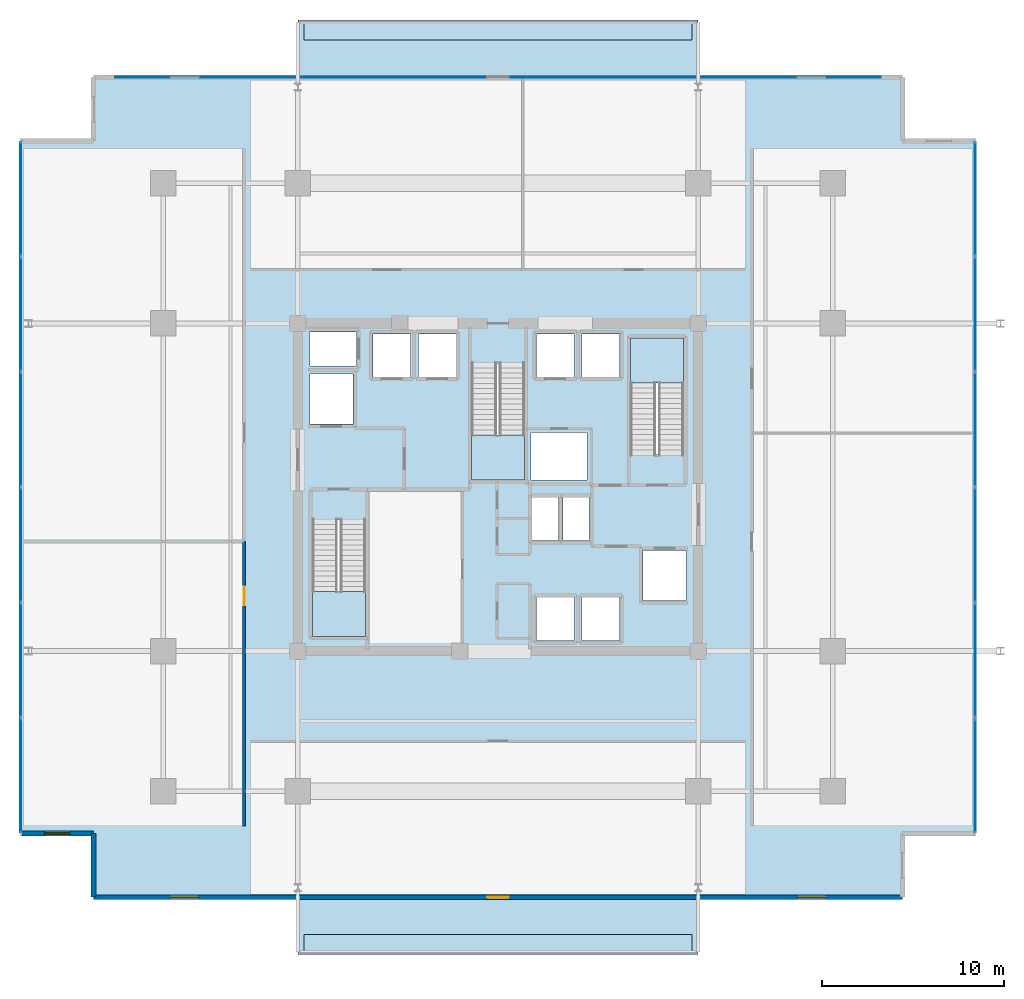
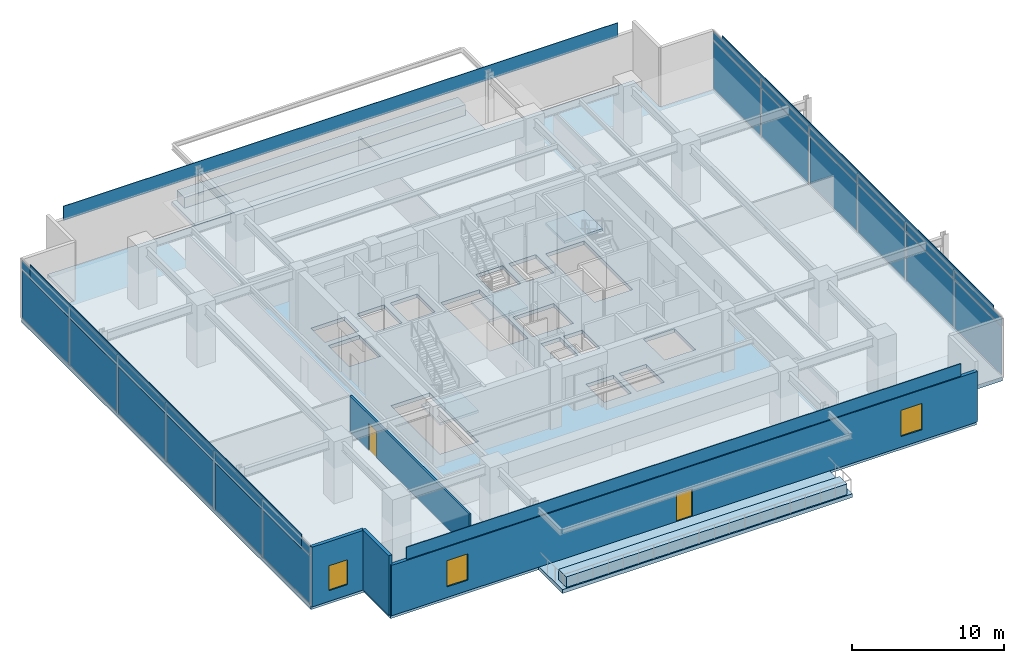
# One storey, part 13 of 21: 28 plates, 8 slabs, 4 walls, 3 windows, 2 doors, 5 openings, 5 elements without a shape of their own.
"""IFC4 building model written with IfcOpenShell, lengths in metres."""

import ifcopenshell
import ifcopenshell.guid

model = None  # the IFC model being written
_history = None  # IfcOwnerHistory: only IFC2X3 demands one
_inside = {}  # id of a spatial element -> (the spatial element, [elements in it])
_under = {}  # id of a project, library or spatial element -> (it, [spatial elements below it])
_declared = {}  # id of a project -> (the project, [libraries it declares])
_typed = {}  # id of a type object -> (the type object, [elements of that type])
_made_of = {}  # id of a material, layer set ... -> (it, [elements and type objects made of it])


def new_model(schema):
    """Start an empty IFC model of exactly this schema.

    Asked for "IFC4X3", IfcOpenShell would pick the latest addendum, in which some entities
    have other attributes; the version numbers below select the first issue.
    IFC2X3 requires an IfcOwnerHistory on every rooted entity: one is made here for all.
    """
    global model, _history
    if schema == "IFC4X3":
        model = ifcopenshell.file(schema_version=(4, 3, 0, 0))
    else:
        model = ifcopenshell.file(schema=schema)
    _inside.clear()
    _under.clear()
    _declared.clear()
    _typed.clear()
    _made_of.clear()
    _history = None
    if model.schema == "IFC2X3":
        org = make("IfcOrganization", Name="unknown")
        user = make(
            "IfcPersonAndOrganization",
            ThePerson=make("IfcPerson", FamilyName="unknown"),
            TheOrganization=org,
        )
        app = make(
            "IfcApplication",
            ApplicationDeveloper=org,
            Version="unknown",
            ApplicationFullName="unknown",
            ApplicationIdentifier="unknown",
        )
        _history = make(
            "IfcOwnerHistory",
            OwningUser=user,
            OwningApplication=app,
            ChangeAction="ADDED",
            CreationDate=0,
        )
    return model


def make(cls, **values):
    """One entity of the class cls with the attributes given. An attribute that is None is left unset."""
    return model.create_entity(
        cls, **{name: value for name, value in values.items() if value is not None}
    )


def rooted(cls, **values):
    """An entity with a GlobalId (a new one), such as an element, a storey or a relation."""
    return make(cls, GlobalId=ifcopenshell.guid.new(), OwnerHistory=_history, **values)


def si_unit(unit_type, name, prefix=None):
    """IfcSIUnit, for example si_unit("LENGTHUNIT", "METRE", prefix="MILLI")."""
    return make("IfcSIUnit", UnitType=unit_type, Prefix=prefix, Name=name)


def assignment(units):
    """IfcUnitAssignment: the units of a project."""
    return None if units is None else make("IfcUnitAssignment", Units=units)


def point(xyz):
    """IfcCartesianPoint."""
    return None if xyz is None else make("IfcCartesianPoint", Coordinates=xyz)


def direction(xyz):
    """IfcDirection."""
    return None if xyz is None else make("IfcDirection", DirectionRatios=xyz)


def frame(location, z_axis=None, x_axis=None):
    """IfcAxis2Placement3D, a coordinate frame: its origin and axes. An axis left out is left unset."""
    return make(
        "IfcAxis2Placement3D",
        Location=point(location),
        Axis=direction(z_axis),
        RefDirection=direction(x_axis),
    )


def frame_2d(location, x_axis=None):
    """IfcAxis2Placement2D, a coordinate frame in the plane: its origin and x axis."""
    return make(
        "IfcAxis2Placement2D", Location=point(location), RefDirection=direction(x_axis)
    )


def origin():
    """The frame at (0, 0, 0) with its axes left unset."""
    return frame((0.0, 0.0, 0.0))


def origin_2d():
    """The frame at (0, 0) in the plane with its x axis left unset."""
    return frame_2d((0.0, 0.0))


def place(relative_to, where):
    """IfcLocalPlacement: puts the frame where relative to a parent placement (None: the world)."""
    return make(
        "IfcLocalPlacement", PlacementRelTo=relative_to, RelativePlacement=where
    )


def context(
    kind, dimensions, precision=None, world=None, true_north=None, identifier=None
):
    """IfcGeometricRepresentationContext, for example the 3D "Model" context."""
    return make(
        "IfcGeometricRepresentationContext",
        ContextIdentifier=identifier,
        ContextType=kind,
        CoordinateSpaceDimension=dimensions,
        Precision=precision,
        WorldCoordinateSystem=world,
        TrueNorth=true_north,
    )


def subcontext(parent, identifier, kind, view, scale=None):
    """IfcGeometricRepresentationSubContext, for example "Body" below "Model"."""
    return make(
        "IfcGeometricRepresentationSubContext",
        ContextIdentifier=identifier,
        ContextType=kind,
        ParentContext=parent,
        TargetScale=scale,
        TargetView=view,
    )


def project(units=None, contexts=None):
    """IfcProject with its units and contexts."""
    return rooted(
        "IfcProject",
        Name="project",
        RepresentationContexts=contexts,
        UnitsInContext=assignment(units),
    )


def spatial(cls, under=None, at=None, **own):
    """A site, building, storey or space (cls), placed at a placement, below another one or the project."""
    s = rooted(cls, ObjectPlacement=at, **own)
    if under is not None:
        _under.setdefault(under.id(), (under, []))[1].append(s)
    return s


def polyline(points):
    """IfcPolyline through the points."""
    return make("IfcPolyline", Points=[point(p) for p in points])


def profile(cls, at=None, kind="AREA", **sizes):
    """A parametric profile (cls). Its sizes go by their IFC names, for example OverallWidth=200.0."""
    return make(cls, ProfileType=kind, Position=at, **sizes)


def rectangle(**sizes):
    """IfcRectangleProfileDef."""
    return profile("IfcRectangleProfileDef", **sizes)


def outline(outer, holes=None, kind="AREA"):
    """IfcArbitraryClosedProfileDef: a profile drawn as a closed curve; with holes, ...WithVoids."""
    if holes is None:
        return make("IfcArbitraryClosedProfileDef", ProfileType=kind, OuterCurve=outer)
    return make(
        "IfcArbitraryProfileDefWithVoids",
        ProfileType=kind,
        OuterCurve=outer,
        InnerCurves=holes,
    )


def extrude(swept, where, along, depth):
    """IfcExtrudedAreaSolid: the profile swept, set in the frame where, extruded along a direction by depth."""
    return make(
        "IfcExtrudedAreaSolid",
        SweptArea=swept,
        Position=where,
        ExtrudedDirection=direction(along),
        Depth=depth,
    )


def shape(context_of_items, identifier, shape_type, items):
    """IfcShapeRepresentation: the items that make up one representation, for example the "Body"."""
    return make(
        "IfcShapeRepresentation",
        ContextOfItems=context_of_items,
        RepresentationIdentifier=identifier,
        RepresentationType=shape_type,
        Items=items,
    )


def material(Name=None, Category=None):
    """IfcMaterial."""
    return make("IfcMaterial", Name=Name, Category=Category)


def layer(
    of_material, thickness, ventilated=None, Name=None, Category=None, Priority=None
):
    """IfcMaterialLayer: one layer of a wall or slab, of a material (None: an air gap)."""
    return make(
        "IfcMaterialLayer",
        Material=of_material,
        LayerThickness=thickness,
        IsVentilated=ventilated,
        Name=Name,
        Category=Category,
        Priority=Priority,
    )


def layer_set(layers, Name=None):
    """IfcMaterialLayerSet."""
    return make("IfcMaterialLayerSet", MaterialLayers=layers, LayerSetName=Name)


def made_of(thing, what):
    """Note that an element or type object is made of a material, layer set ...; save() writes the relation."""
    if what is not None:
        _made_of.setdefault(what.id(), (what, []))[1].append(thing)
    return thing


def type_object(cls, material=None, **own):
    """A type object (cls), such as IfcWallType, which elements share."""
    return made_of(rooted(cls, **own), material)


def element(
    cls,
    number,
    at=None,
    inside=None,
    cuts=None,
    type_object=None,
    material=None,
    context=None,
    identifier="Body",
    shape_type=None,
    held_by="IfcProductDefinitionShape",
    body=None,
    shapes=None,
    **own,
):
    """One element of the class cls, such as IfcWall. Its Tag is "e" and its number.

    at: its placement. inside: the storey or other place that contains it. cuts: it is an
    opening in that element (IfcRelVoidsElement). A single representation is given by context,
    identifier, shape_type and body (its items); several are given by shapes. held_by: the class
    of the entity that holds the representations. save() writes the other relations.
    """
    e = rooted(cls, Tag="e%d" % number, ObjectPlacement=at, **own)
    if body is not None:
        shapes = [shape(context, identifier, shape_type, body)]
    if shapes is not None:
        e.Representation = make(held_by, Representations=shapes)
    if inside is not None:
        _inside.setdefault(inside.id(), (inside, []))[1].append(e)
    if cuts is not None:
        rooted(
            "IfcRelVoidsElement", RelatingBuildingElement=cuts, RelatedOpeningElement=e
        )
    if type_object is not None:
        _typed.setdefault(type_object.id(), (type_object, []))[1].append(e)
    return made_of(e, material)


def fill(opening, filler):
    """IfcRelFillsElement: the door or window that sits in an opening."""
    return rooted(
        "IfcRelFillsElement",
        RelatingOpeningElement=opening,
        RelatedBuildingElement=filler,
    )


def aggregate(whole, parts):
    """IfcRelAggregates: a whole, such as a stair, and the parts it consists of."""
    return rooted("IfcRelAggregates", RelatingObject=whole, RelatedObjects=parts)


def save(model, path):
    """Write the relations noted so far, then the file.

    IfcRelAggregates (storeys below a building ...), IfcRelContainedInSpatialStructure (elements
    in a storey), IfcRelDefinesByType, IfcRelAssociatesMaterial and IfcRelDeclares: one each for
    every whole, place, type object, material and project.
    """
    for whole, parts in _under.values():
        aggregate(whole, parts)
    for where, things in _inside.values():
        rooted(
            "IfcRelContainedInSpatialStructure",
            RelatedElements=things,
            RelatingStructure=where,
        )
    for kind, things in _typed.values():
        rooted("IfcRelDefinesByType", RelatedObjects=things, RelatingType=kind)
    for what, things in _made_of.values():
        rooted("IfcRelAssociatesMaterial", RelatedObjects=things, RelatingMaterial=what)
    for by, libraries in _declared.values():
        rooted("IfcRelDeclares", RelatingContext=by, RelatedDefinitions=libraries)
    model.write(path)


model = new_model("IFC4")

# Units and contexts
model_context = context("Model", 3, precision=1e-05, world=origin(), true_north=direction((0.0, 1.0)))
body_context = subcontext(model_context, "Body", "Model", "MODEL_VIEW")
ifc_project = project(units=[si_unit("LENGTHUNIT", "METRE"), si_unit("AREAUNIT", "SQUARE_METRE"), si_unit("VOLUMEUNIT", "CUBIC_METRE"), si_unit("PLANEANGLEUNIT", "RADIAN"), si_unit("MASSUNIT", "GRAM", prefix="KILO")], contexts=[model_context])

# Site, building, storey
site_placement = place(None, origin())
site = spatial("IfcSite", under=ifc_project, at=site_placement, CompositionType="ELEMENT")
building_placement = place(site_placement, origin())
building = spatial("IfcBuilding", under=site, at=building_placement, Name="Kovane Verandah Tower", CompositionType="ELEMENT")
storey_placement = place(building_placement, frame((0.0, 0.0, 238.199951171875)))
storey = spatial("IfcBuildingStorey", under=building, at=storey_placement, Name="L55", CompositionType="ELEMENT", Elevation=238.199951171875)

# Curtain wall, plates
ifc_material_1 = material(Name="Champagne Anodised Aluminium Frame with Low-E Clear Laminated Glass", Category="aluminium")
curtain_wall_type = type_object("IfcCurtainWallType", Name="CW-SYS-03-MID", PredefinedType="NOTDEFINED", material=ifc_material_1)
curtain_wall_1_placement = place(storey_placement, origin())
curtain_wall_1 = element("IfcCurtainWall", 1, at=curtain_wall_1_placement, inside=storey, type_object=curtain_wall_type, Name="L55 E Unitised Curtain Wall", PredefinedType="NOTDEFINED")
ifc_material_2 = material(Name="Pale Champagne Anodised Aluminium Insulated Spandrel", Category="aluminium")
ifc_layer_1 = layer(ifc_material_2, 0.0400390625)
ifc_layer_set_1 = layer_set([ifc_layer_1], Name="Pale Champagne Anodised Aluminium Insulated Spandrel")
plate_type_1 = type_object("IfcPlateType", Name="PL-CW-SPD-40", PredefinedType="SHEET", material=ifc_layer_set_1)
plate_1_placement = place(storey_placement, frame((66.220703125, 11.647216796875, 4.05517578125), z_axis=(0.0, 0.0, 1.0), x_axis=(0.0, 1.0, 0.0)))
plate_1 = element("IfcPlate", 2, at=plate_1_placement, type_object=plate_type_1, Name="L55 E Unitised Curtain Wall Spandrel Panel 1", PredefinedType="SHEET", context=body_context, shape_type="SweptSolid", body=[
    extrude(rectangle(XDim=6.201171875, YDim=0.0400390625, at=origin_2d()), origin(), (0.0, 0.0, 1.0), 0.639892578125),
])
plate_2_placement = place(storey_placement, frame((66.220703125, 17.98828125, 4.05517578125), z_axis=(0.0, 0.0, 1.0), x_axis=(0.0, 1.0, 0.0)))
plate_2 = element("IfcPlate", 3, at=plate_2_placement, type_object=plate_type_1, Name="L55 E Unitised Curtain Wall Spandrel Panel 2", PredefinedType="SHEET", context=body_context, shape_type="SweptSolid", body=[
    extrude(rectangle(XDim=6.201171875, YDim=0.0400390625, at=origin_2d()), origin(), (0.0, 0.0, 1.0), 0.639892578125),
])
plate_3_placement = place(storey_placement, frame((66.220703125, 24.329345703125, 4.05517578125), z_axis=(0.0, 0.0, 1.0), x_axis=(0.0, 1.0, 0.0)))
plate_3 = element("IfcPlate", 4, at=plate_3_placement, type_object=plate_type_1, Name="L55 E Unitised Curtain Wall Spandrel Panel 3", PredefinedType="SHEET", context=body_context, shape_type="SweptSolid", body=[
    extrude(rectangle(XDim=6.201171875, YDim=0.0400390625, at=origin_2d()), origin(), (0.0, 0.0, 1.0), 0.639892578125),
])
plate_4_placement = place(storey_placement, frame((66.220703125, 30.670654296875, 4.05517578125), z_axis=(0.0, 0.0, 1.0), x_axis=(0.0, 1.0, 0.0)))
plate_4 = element("IfcPlate", 5, at=plate_4_placement, type_object=plate_type_1, Name="L55 E Unitised Curtain Wall Spandrel Panel 4", PredefinedType="SHEET", context=body_context, shape_type="SweptSolid", body=[
    extrude(rectangle(XDim=6.201171875, YDim=0.0400390625, at=origin_2d()), origin(), (0.0, 0.0, 1.0), 0.639892578125),
])
plate_5_placement = place(storey_placement, frame((66.220703125, 37.01171875, 4.05517578125), z_axis=(0.0, 0.0, 1.0), x_axis=(0.0, 1.0, 0.0)))
plate_5 = element("IfcPlate", 6, at=plate_5_placement, type_object=plate_type_1, Name="L55 E Unitised Curtain Wall Spandrel Panel 5", PredefinedType="SHEET", context=body_context, shape_type="SweptSolid", body=[
    extrude(rectangle(XDim=6.201171875, YDim=0.0400390625, at=origin_2d()), origin(), (0.0, 0.0, 1.0), 0.639892578125),
])
plate_6_placement = place(storey_placement, frame((66.220703125, 43.352783203125, 4.05517578125), z_axis=(0.0, 0.0, 1.0), x_axis=(0.0, 1.0, 0.0)))
plate_6 = element("IfcPlate", 7, at=plate_6_placement, type_object=plate_type_1, Name="L55 E Unitised Curtain Wall Spandrel Panel 6", PredefinedType="SHEET", context=body_context, shape_type="SweptSolid", body=[
    extrude(rectangle(XDim=6.201171875, YDim=0.0400390625, at=origin_2d()), origin(), (0.0, 0.0, 1.0), 0.639892578125),
])

curtain_wall_2_placement = place(storey_placement, origin())
curtain_wall_2 = element("IfcCurtainWall", 8, at=curtain_wall_2_placement, inside=storey, type_object=curtain_wall_type, Name="L55 W Unitised Curtain Wall", PredefinedType="NOTDEFINED")
plate_7_placement = place(storey_placement, frame((13.779296875, 43.352783203125, 4.05517578125), z_axis=(0.0, 0.0, 1.0), x_axis=(0.0, -1.0, 0.0)))
plate_7 = element("IfcPlate", 9, at=plate_7_placement, type_object=plate_type_1, Name="L55 W Unitised Curtain Wall Spandrel Panel 1", PredefinedType="SHEET", context=body_context, shape_type="SweptSolid", body=[
    extrude(rectangle(XDim=6.201171875, YDim=0.0400390625, at=origin_2d()), origin(), (0.0, 0.0, 1.0), 0.639892578125),
])
plate_8_placement = place(storey_placement, frame((13.779296875, 37.01171875, 4.05517578125), z_axis=(0.0, 0.0, 1.0), x_axis=(0.0, -1.0, 0.0)))
plate_8 = element("IfcPlate", 10, at=plate_8_placement, type_object=plate_type_1, Name="L55 W Unitised Curtain Wall Spandrel Panel 2", PredefinedType="SHEET", context=body_context, shape_type="SweptSolid", body=[
    extrude(rectangle(XDim=6.201171875, YDim=0.0400390625, at=origin_2d()), origin(), (0.0, 0.0, 1.0), 0.639892578125),
])
plate_9_placement = place(storey_placement, frame((13.779296875, 30.670654296875, 4.05517578125), z_axis=(0.0, 0.0, 1.0), x_axis=(0.0, -1.0, 0.0)))
plate_9 = element("IfcPlate", 11, at=plate_9_placement, type_object=plate_type_1, Name="L55 W Unitised Curtain Wall Spandrel Panel 3", PredefinedType="SHEET", context=body_context, shape_type="SweptSolid", body=[
    extrude(rectangle(XDim=6.201171875, YDim=0.0400390625, at=origin_2d()), origin(), (0.0, 0.0, 1.0), 0.639892578125),
])
plate_10_placement = place(storey_placement, frame((13.779296875, 24.329345703125, 4.05517578125), z_axis=(0.0, 0.0, 1.0), x_axis=(0.0, -1.0, 0.0)))
plate_10 = element("IfcPlate", 12, at=plate_10_placement, type_object=plate_type_1, Name="L55 W Unitised Curtain Wall Spandrel Panel 4", PredefinedType="SHEET", context=body_context, shape_type="SweptSolid", body=[
    extrude(rectangle(XDim=6.201171875, YDim=0.0400390625, at=origin_2d()), origin(), (0.0, 0.0, 1.0), 0.639892578125),
])
plate_11_placement = place(storey_placement, frame((13.779296875, 17.98828125, 4.05517578125), z_axis=(0.0, 0.0, 1.0), x_axis=(0.0, -1.0, 0.0)))
plate_11 = element("IfcPlate", 13, at=plate_11_placement, type_object=plate_type_1, Name="L55 W Unitised Curtain Wall Spandrel Panel 5", PredefinedType="SHEET", context=body_context, shape_type="SweptSolid", body=[
    extrude(rectangle(XDim=6.201171875, YDim=0.0400390625, at=origin_2d()), origin(), (0.0, 0.0, 1.0), 0.639892578125),
])
plate_12_placement = place(storey_placement, frame((13.779296875, 11.647216796875, 4.05517578125), z_axis=(0.0, 0.0, 1.0), x_axis=(0.0, -1.0, 0.0)))
plate_12 = element("IfcPlate", 14, at=plate_12_placement, type_object=plate_type_1, Name="L55 W Unitised Curtain Wall Spandrel Panel 6", PredefinedType="SHEET", context=body_context, shape_type="SweptSolid", body=[
    extrude(rectangle(XDim=6.201171875, YDim=0.0400390625, at=origin_2d()), origin(), (0.0, 0.0, 1.0), 0.639892578125),
])

# Plate
ifc_material_3 = material(Name="Clear Low-E Laminated Double Glazing", Category="glass")
ifc_layer_2 = layer(ifc_material_3, 0.031982421875)
ifc_layer_set_2 = layer_set([ifc_layer_2], Name="Clear Low-E Laminated Double Glazing")
plate_type_2 = type_object("IfcPlateType", Name="PL-CW-VIS-32", PredefinedType="CURTAIN_PANEL", material=ifc_layer_set_2)
plate_13_placement = place(storey_placement, frame((66.220703125, 11.647216796875, 0.10009765625), z_axis=(0.0, 0.0, 1.0), x_axis=(0.0, 1.0, 0.0)))
plate_13 = element("IfcPlate", 15, at=plate_13_placement, type_object=plate_type_2, Name="L55 E Unitised Curtain Wall Vision Panel 1", PredefinedType="CURTAIN_PANEL", context=body_context, shape_type="SweptSolid", body=[
    extrude(rectangle(XDim=6.201171875, YDim=0.031982421875, at=origin_2d()), origin(), (0.0, 0.0, 1.0), 3.85498046875),
])

plate_14_placement = place(storey_placement, frame((66.220703125, 17.98828125, 0.10009765625), z_axis=(0.0, 0.0, 1.0), x_axis=(0.0, 1.0, 0.0)))
plate_14 = element("IfcPlate", 16, at=plate_14_placement, type_object=plate_type_2, Name="L55 E Unitised Curtain Wall Vision Panel 2", PredefinedType="CURTAIN_PANEL", context=body_context, shape_type="SweptSolid", body=[
    extrude(rectangle(XDim=6.201171875, YDim=0.031982421875, at=origin_2d()), origin(), (0.0, 0.0, 1.0), 3.85498046875),
])

plate_15_placement = place(storey_placement, frame((66.220703125, 24.329345703125, 0.10009765625), z_axis=(0.0, 0.0, 1.0), x_axis=(0.0, 1.0, 0.0)))
plate_15 = element("IfcPlate", 17, at=plate_15_placement, type_object=plate_type_2, Name="L55 E Unitised Curtain Wall Vision Panel 3", PredefinedType="CURTAIN_PANEL", context=body_context, shape_type="SweptSolid", body=[
    extrude(rectangle(XDim=6.201171875, YDim=0.031982421875, at=origin_2d()), origin(), (0.0, 0.0, 1.0), 3.85498046875),
])

plate_16_placement = place(storey_placement, frame((66.220703125, 30.670654296875, 0.10009765625), z_axis=(0.0, 0.0, 1.0), x_axis=(0.0, 1.0, 0.0)))
plate_16 = element("IfcPlate", 18, at=plate_16_placement, type_object=plate_type_2, Name="L55 E Unitised Curtain Wall Vision Panel 4", PredefinedType="CURTAIN_PANEL", context=body_context, shape_type="SweptSolid", body=[
    extrude(rectangle(XDim=6.201171875, YDim=0.031982421875, at=origin_2d()), origin(), (0.0, 0.0, 1.0), 3.85498046875),
])

plate_17_placement = place(storey_placement, frame((66.220703125, 37.01171875, 0.10009765625), z_axis=(0.0, 0.0, 1.0), x_axis=(0.0, 1.0, 0.0)))
plate_17 = element("IfcPlate", 19, at=plate_17_placement, type_object=plate_type_2, Name="L55 E Unitised Curtain Wall Vision Panel 5", PredefinedType="CURTAIN_PANEL", context=body_context, shape_type="SweptSolid", body=[
    extrude(rectangle(XDim=6.201171875, YDim=0.031982421875, at=origin_2d()), origin(), (0.0, 0.0, 1.0), 3.85498046875),
])

plate_18_placement = place(storey_placement, frame((66.220703125, 43.352783203125, 0.10009765625), z_axis=(0.0, 0.0, 1.0), x_axis=(0.0, 1.0, 0.0)))
plate_18 = element("IfcPlate", 20, at=plate_18_placement, type_object=plate_type_2, Name="L55 E Unitised Curtain Wall Vision Panel 6", PredefinedType="CURTAIN_PANEL", context=body_context, shape_type="SweptSolid", body=[
    extrude(rectangle(XDim=6.201171875, YDim=0.031982421875, at=origin_2d()), origin(), (0.0, 0.0, 1.0), 3.85498046875),
])

aggregate(curtain_wall_1, [plate_13, plate_1, plate_14, plate_2, plate_15, plate_3, plate_16, plate_4, plate_17, plate_5, plate_18, plate_6])

plate_19_placement = place(storey_placement, frame((13.779296875, 43.352783203125, 0.10009765625), z_axis=(0.0, 0.0, 1.0), x_axis=(0.0, -1.0, 0.0)))
plate_19 = element("IfcPlate", 21, at=plate_19_placement, type_object=plate_type_2, Name="L55 W Unitised Curtain Wall Vision Panel 1", PredefinedType="CURTAIN_PANEL", context=body_context, shape_type="SweptSolid", body=[
    extrude(rectangle(XDim=6.201171875, YDim=0.031982421875, at=origin_2d()), origin(), (0.0, 0.0, 1.0), 3.85498046875),
])

plate_20_placement = place(storey_placement, frame((13.779296875, 37.01171875, 0.10009765625), z_axis=(0.0, 0.0, 1.0), x_axis=(0.0, -1.0, 0.0)))
plate_20 = element("IfcPlate", 22, at=plate_20_placement, type_object=plate_type_2, Name="L55 W Unitised Curtain Wall Vision Panel 2", PredefinedType="CURTAIN_PANEL", context=body_context, shape_type="SweptSolid", body=[
    extrude(rectangle(XDim=6.201171875, YDim=0.031982421875, at=origin_2d()), origin(), (0.0, 0.0, 1.0), 3.85498046875),
])

plate_21_placement = place(storey_placement, frame((13.779296875, 30.670654296875, 0.10009765625), z_axis=(0.0, 0.0, 1.0), x_axis=(0.0, -1.0, 0.0)))
plate_21 = element("IfcPlate", 23, at=plate_21_placement, type_object=plate_type_2, Name="L55 W Unitised Curtain Wall Vision Panel 3", PredefinedType="CURTAIN_PANEL", context=body_context, shape_type="SweptSolid", body=[
    extrude(rectangle(XDim=6.201171875, YDim=0.031982421875, at=origin_2d()), origin(), (0.0, 0.0, 1.0), 3.85498046875),
])

plate_22_placement = place(storey_placement, frame((13.779296875, 24.329345703125, 0.10009765625), z_axis=(0.0, 0.0, 1.0), x_axis=(0.0, -1.0, 0.0)))
plate_22 = element("IfcPlate", 24, at=plate_22_placement, type_object=plate_type_2, Name="L55 W Unitised Curtain Wall Vision Panel 4", PredefinedType="CURTAIN_PANEL", context=body_context, shape_type="SweptSolid", body=[
    extrude(rectangle(XDim=6.201171875, YDim=0.031982421875, at=origin_2d()), origin(), (0.0, 0.0, 1.0), 3.85498046875),
])

plate_23_placement = place(storey_placement, frame((13.779296875, 17.98828125, 0.10009765625), z_axis=(0.0, 0.0, 1.0), x_axis=(0.0, -1.0, 0.0)))
plate_23 = element("IfcPlate", 25, at=plate_23_placement, type_object=plate_type_2, Name="L55 W Unitised Curtain Wall Vision Panel 5", PredefinedType="CURTAIN_PANEL", context=body_context, shape_type="SweptSolid", body=[
    extrude(rectangle(XDim=6.201171875, YDim=0.031982421875, at=origin_2d()), origin(), (0.0, 0.0, 1.0), 3.85498046875),
])

plate_24_placement = place(storey_placement, frame((13.779296875, 11.647216796875, 0.10009765625), z_axis=(0.0, 0.0, 1.0), x_axis=(0.0, -1.0, 0.0)))
plate_24 = element("IfcPlate", 26, at=plate_24_placement, type_object=plate_type_2, Name="L55 W Unitised Curtain Wall Vision Panel 6", PredefinedType="CURTAIN_PANEL", context=body_context, shape_type="SweptSolid", body=[
    extrude(rectangle(XDim=6.201171875, YDim=0.031982421875, at=origin_2d()), origin(), (0.0, 0.0, 1.0), 3.85498046875),
])

aggregate(curtain_wall_2, [plate_19, plate_7, plate_20, plate_8, plate_21, plate_9, plate_22, plate_10, plate_23, plate_11, plate_24, plate_12])

# Plates
ifc_material_4 = material(Name="Perforated Pale Champagne Anodised Aluminium Solar Screen", Category="aluminium")
ifc_layer_3 = layer(ifc_material_4, 0.050048828125)
ifc_layer_set_3 = layer_set([ifc_layer_3], Name="Perforated Pale Champagne Anodised Aluminium Solar Screen")
plate_type_3 = type_object("IfcPlateType", Name="PL-SCREEN-50", PredefinedType="USERDEFINED", material=ifc_layer_set_3)
plate_25_placement = place(storey_placement, frame((40.0, 4.961669921875, 3.885009765625), z_axis=(0.0, 0.0, 1.0), x_axis=(1.0, 0.0, 0.0)))
element("IfcPlate", 27, at=plate_25_placement, inside=storey, type_object=plate_type_3, Name="L55 S Perforated Champagne-Gold Solar Screen", ObjectType="SCREEN", PredefinedType="USERDEFINED", context=body_context, shape_type="SweptSolid", body=[
    extrude(rectangle(XDim=42.041015625, YDim=0.050048828125, at=origin_2d()), origin(), (0.0, 0.0, 1.0), 1.14990234375),
])
plate_26_placement = place(storey_placement, frame((66.235595703125, 27.5, 3.885009765625), z_axis=(0.0, 0.0, 1.0), x_axis=(0.0, 1.0, 0.0)))
element("IfcPlate", 28, at=plate_26_placement, inside=storey, type_object=plate_type_3, Name="L55 E Perforated Champagne-Gold Solar Screen", ObjectType="SCREEN", PredefinedType="USERDEFINED", context=body_context, shape_type="SweptSolid", body=[
    extrude(rectangle(XDim=35.64697265625, YDim=0.050048828125, at=origin_2d()), origin(), (0.0, 0.0, 1.0), 1.14990234375),
])
plate_27_placement = place(storey_placement, frame((40.0, 50.038330078125, 3.885009765625), z_axis=(0.0, 0.0, 1.0), x_axis=(-1.0, 0.0, 0.0)))
element("IfcPlate", 29, at=plate_27_placement, inside=storey, type_object=plate_type_3, Name="L55 N Perforated Champagne-Gold Solar Screen", ObjectType="SCREEN", PredefinedType="USERDEFINED", context=body_context, shape_type="SweptSolid", body=[
    extrude(rectangle(XDim=42.041015625, YDim=0.050048828125, at=origin_2d()), origin(), (0.0, 0.0, 1.0), 1.14990234375),
])
plate_28_placement = place(storey_placement, frame((13.764404296875, 27.5, 3.885009765625), z_axis=(0.0, 0.0, 1.0), x_axis=(0.0, -1.0, 0.0)))
element("IfcPlate", 30, at=plate_28_placement, inside=storey, type_object=plate_type_3, Name="L55 W Perforated Champagne-Gold Solar Screen", ObjectType="SCREEN", PredefinedType="USERDEFINED", context=body_context, shape_type="SweptSolid", body=[
    extrude(rectangle(XDim=35.64697265625, YDim=0.050048828125, at=origin_2d()), origin(), (0.0, 0.0, 1.0), 1.14990234375),
])

# Slabs
ifc_material_5 = material(Name="Concrete C45/55", Category="concrete")
ifc_layer_4 = layer(ifc_material_5, 0.300048828125)
ifc_layer_set_4 = layer_set([ifc_layer_4], Name="Concrete C45/55")
slab_type_1 = type_object("IfcSlabType", Name="SL-BALC-300", PredefinedType="FLOOR", material=ifc_layer_set_4)
slab_1_placement = place(storey_placement, frame((0.0, 0.0, -0.300048828125)))
element("IfcSlab", 31, at=slab_1_placement, inside=storey, type_object=slab_type_1, Name="L55 N Planted Verandah Balcony Slab", PredefinedType="FLOOR", context=body_context, shape_type="SweptSolid", body=[
    extrude(outline(polyline([(29.0, 50.0234375), (51.0, 50.0234375), (51.0, 53.17333984375), (29.0, 53.17333984375), (29.0, 50.0234375)])), origin(), (0.0, 0.0, 1.0), 0.300048828125),
])
slab_2_placement = place(storey_placement, frame((0.0, 0.0, -0.300048828125)))
element("IfcSlab", 32, at=slab_2_placement, inside=storey, type_object=slab_type_1, Name="L55 S Planted Verandah Balcony Slab", PredefinedType="FLOOR", context=body_context, shape_type="SweptSolid", body=[
    extrude(outline(polyline([(29.0, 1.82666015625), (51.0, 1.82666015625), (51.0, 4.9765625), (29.0, 4.9765625), (29.0, 1.82666015625)])), origin(), (0.0, 0.0, 1.0), 0.300048828125),
])
ifc_material_6 = material(Name="Concrete C60/75", Category="concrete")
ifc_layer_5 = layer(ifc_material_6, 0.300048828125)
ifc_layer_set_5 = layer_set([ifc_layer_5], Name="Concrete C60/75")
slab_type_2 = type_object("IfcSlabType", Name="SL-HVY-300", PredefinedType="FLOOR", material=ifc_layer_set_5)
slab_3_placement = place(storey_placement, frame((0.0, 0.0, -0.300048828125)))
element("IfcSlab", 33, at=slab_3_placement, inside=storey, type_object=slab_type_2, Name="L55 Structural Floor Slab", PredefinedType="FLOOR", context=body_context, shape_type="SweptSolid", body=[
    extrude(outline(polyline([(17.779296875, 4.9765625), (62.220703125, 4.9765625), (62.220703125, 8.4765625), (66.220703125, 8.4765625), (66.220703125, 46.5234375), (62.220703125, 46.5234375), (62.220703125, 50.0234375), (17.779296875, 50.0234375), (17.779296875, 46.5234375), (13.779296875, 46.5234375), (13.779296875, 8.4765625), (17.779296875, 8.4765625), (17.779296875, 4.9765625)]), holes=[polyline([(29.800048828125, 19.300048828125), (32.719970703125, 19.300048828125), (32.719970703125, 25.705078125), (29.800048828125, 25.705078125), (29.800048828125, 19.300048828125)]), polyline([(47.280029296875, 29.294921875), (50.199951171875, 29.294921875), (50.199951171875, 35.699951171875), (47.280029296875, 35.699951171875), (47.280029296875, 29.294921875)]), polyline([(38.5400390625, 27.89990234375), (41.4599609375, 27.89990234375), (41.4599609375, 34.304931640625), (38.5400390625, 34.304931640625), (38.5400390625, 27.89990234375)]), polyline([(29.669921875, 30.969970703125), (32.030029296875, 30.969970703125), (32.030029296875, 33.72998046875), (29.669921875, 33.72998046875), (29.669921875, 30.969970703125)]), polyline([(47.969970703125, 21.27001953125), (50.330078125, 21.27001953125), (50.330078125, 24.030029296875), (47.969970703125, 24.030029296875), (47.969970703125, 21.27001953125)]), polyline([(29.669921875, 34.169921875), (32.22998046875, 34.169921875), (32.22998046875, 36.030029296875), (29.669921875, 36.030029296875), (29.669921875, 34.169921875)]), polyline([(42.1201171875, 19.070068359375), (44.179931640625, 19.070068359375), (44.179931640625, 21.429931640625), (42.1201171875, 21.429931640625), (42.1201171875, 19.070068359375)]), polyline([(44.6201171875, 19.070068359375), (46.679931640625, 19.070068359375), (46.679931640625, 21.429931640625), (44.6201171875, 21.429931640625), (44.6201171875, 19.070068359375)]), polyline([(41.8798828125, 24.570068359375), (43.320068359375, 24.570068359375), (43.320068359375, 26.929931640625), (41.8798828125, 26.929931640625), (41.8798828125, 24.570068359375)]), polyline([(43.580078125, 24.570068359375), (45.0, 24.570068359375), (45.0, 26.929931640625), (43.580078125, 26.929931640625), (43.580078125, 24.570068359375)]), polyline([(33.1201171875, 33.570068359375), (35.179931640625, 33.570068359375), (35.179931640625, 35.929931640625), (33.1201171875, 35.929931640625), (33.1201171875, 33.570068359375)]), polyline([(35.6201171875, 33.570068359375), (37.679931640625, 33.570068359375), (37.679931640625, 35.929931640625), (35.6201171875, 35.929931640625), (35.6201171875, 33.570068359375)]), polyline([(42.1201171875, 33.570068359375), (44.179931640625, 33.570068359375), (44.179931640625, 35.929931640625), (42.1201171875, 35.929931640625), (42.1201171875, 33.570068359375)]), polyline([(44.6201171875, 33.570068359375), (46.679931640625, 33.570068359375), (46.679931640625, 35.929931640625), (44.6201171875, 35.929931640625), (44.6201171875, 33.570068359375)]), polyline([(41.800048828125, 27.89990234375), (44.89990234375, 27.89990234375), (44.89990234375, 30.5), (41.800048828125, 30.5), (41.800048828125, 27.89990234375)])]), origin(), (0.0, 0.0, 1.0), 0.300048828125),
])

# Stair, slab
stair_type = type_object("IfcStairType", Name="ST-CORE-1380", PredefinedType="HALF_TURN_STAIR", material=ifc_material_5)
stair_1_placement = place(storey_placement, origin())
stair_1 = element("IfcStair", 34, at=stair_1_placement, inside=storey, type_object=stair_type, Name="L55 Exit Stair ST-01", PredefinedType="HALF_TURN_STAIR")
ifc_layer_6 = layer(ifc_material_5, 0.199951171875)
ifc_layer_set_6 = layer_set([ifc_layer_6], Name="Concrete C45/55")
slab_type_3 = type_object("IfcSlabType", Name="SL-LAND-200", PredefinedType="LANDING", material=ifc_layer_set_6)
slab_4_placement = place(storey_placement, frame((0.0, 0.0, 2.300048828125)))
slab_4 = element("IfcSlab", 35, at=slab_4_placement, type_object=slab_type_3, Name="ST-01 landing 1", PredefinedType="LANDING", context=body_context, shape_type="SweptSolid", body=[
    extrude(outline(polyline([(29.800048828125, 21.760009765625), (29.800048828125, 19.300048828125), (32.719970703125, 19.300048828125), (32.719970703125, 21.760009765625), (29.800048828125, 21.760009765625)])), origin(), (0.0, 0.0, 1.0), 0.199951171875),
])
aggregate(stair_1, [slab_4])

stair_2_placement = place(storey_placement, origin())
stair_2 = element("IfcStair", 36, at=stair_2_placement, inside=storey, type_object=stair_type, Name="L55 Exit Stair ST-02", PredefinedType="HALF_TURN_STAIR")
slab_5_placement = place(storey_placement, frame((0.0, 0.0, 2.300048828125)))
slab_5 = element("IfcSlab", 37, at=slab_5_placement, type_object=slab_type_3, Name="ST-02 landing 1", PredefinedType="LANDING", context=body_context, shape_type="SweptSolid", body=[
    extrude(outline(polyline([(50.199951171875, 33.239990234375), (50.199951171875, 35.699951171875), (47.280029296875, 35.699951171875), (47.280029296875, 33.239990234375), (50.199951171875, 33.239990234375)])), origin(), (0.0, 0.0, 1.0), 0.199951171875),
])
aggregate(stair_2, [slab_5])

stair_3_placement = place(storey_placement, origin())
stair_3 = element("IfcStair", 38, at=stair_3_placement, inside=storey, type_object=stair_type, Name="L55 Exit Stair ST-03", PredefinedType="HALF_TURN_STAIR")
slab_6_placement = place(storey_placement, frame((0.0, 0.0, 2.300048828125)))
slab_6 = element("IfcSlab", 39, at=slab_6_placement, type_object=slab_type_3, Name="ST-03 landing 1", PredefinedType="LANDING", context=body_context, shape_type="SweptSolid", body=[
    extrude(outline(polyline([(38.5400390625, 30.360107421875), (38.5400390625, 27.89990234375), (41.4599609375, 27.89990234375), (41.4599609375, 30.360107421875), (38.5400390625, 30.360107421875)])), origin(), (0.0, 0.0, 1.0), 0.199951171875),
])
aggregate(stair_3, [slab_6])

# Slabs
ifc_material_7 = material(Name="Architectural Precast Concrete C45/55 Planter Trough", Category="concrete")
ifc_layer_7 = layer(ifc_material_7, 0.219970703125)
ifc_layer_set_7 = layer_set([ifc_layer_7], Name="Architectural Precast Concrete C45/55 Planter Trough")
slab_type_4 = type_object("IfcSlabType", Name="SL-PLANTER-220", PredefinedType="USERDEFINED", material=ifc_layer_set_7)
slab_7_placement = place(storey_placement, origin())
element("IfcSlab", 40, at=slab_7_placement, inside=storey, type_object=slab_type_4, Name="L55 N Structural Tree Planter", ObjectType="PLANTER", PredefinedType="USERDEFINED", context=body_context, shape_type="SweptSolid", body=[
    extrude(outline(polyline([(29.35009765625, 52.073486328125), (50.64990234375, 52.073486328125), (50.64990234375, 53.073486328125), (29.35009765625, 53.073486328125), (29.35009765625, 52.073486328125)])), origin(), (0.0, 0.0, 1.0), 0.85009765625),
])
slab_8_placement = place(storey_placement, origin())
element("IfcSlab", 41, at=slab_8_placement, inside=storey, type_object=slab_type_4, Name="L55 S Structural Tree Planter", ObjectType="PLANTER", PredefinedType="USERDEFINED", context=body_context, shape_type="SweptSolid", body=[
    extrude(outline(polyline([(29.35009765625, 1.926513671875), (50.64990234375, 1.926513671875), (50.64990234375, 2.926513671875), (29.35009765625, 2.926513671875), (29.35009765625, 1.926513671875)])), origin(), (0.0, 0.0, 1.0), 0.85009765625),
])

# Wall, opening, door
ifc_material_8 = material(Name="Fire-Rated Gypsum Stud Partition", Category="gypsum")
ifc_layer_8 = layer(ifc_material_8, 0.14990234375)
ifc_layer_set_8 = layer_set([ifc_layer_8], Name="Fire-Rated Gypsum Stud Partition")
wall_type_1 = type_object("IfcWallType", Name="WL-COR-150", PredefinedType="PARTITIONING", material=ifc_layer_set_8)
wall_1_placement = place(storey_placement, frame((26.050048828125, 8.876708984375, 0.0), z_axis=(0.0, 0.0, 1.0), x_axis=(0.0, 1.0, 0.0)))
wall_1 = element("IfcWall", 42, at=wall_1_placement, inside=storey, type_object=wall_type_1, Name="L55 Collaboration Hub W1 Corridor Partition", PredefinedType="PARTITIONING", context=body_context, shape_type="SweptSolid", body=[
    extrude(rectangle(XDim=15.6435546875, YDim=0.14990234375, at=frame_2d((7.82177734375, 0.0))), origin(), (0.0, 0.0, 1.0), 2.85009765625),
])
opening_1_placement = place(wall_1_placement, frame((12.148681640625, 0.0, 0.0)))
opening_1 = element("IfcOpeningElement", 43, at=opening_1_placement, cuts=wall_1, Name="Opening DR-L55-021", PredefinedType="OPENING", context=body_context, shape_type="SweptSolid", body=[
    extrude(rectangle(XDim=1.0, YDim=2.14990234375, at=frame_2d((0.5, 1.074951171875))), frame((0.0, 0.074951171875, 0.0), z_axis=(0.0, -1.0, 0.0), x_axis=(1.0, 0.0, 0.0)), (0.0, 0.0, 1.0), 0.14990234375),
])
ifc_material_9 = material(Name="FSC Spotted-Gum Timber Fire-Rated Office Door", Category="wood")
door_type_1 = type_object("IfcDoorType", Name="DR-OFF-1000", OperationType="SINGLE_SWING_LEFT", PredefinedType="DOOR", material=ifc_material_9)
door_1_placement = place(opening_1_placement, origin())
door_1 = element("IfcDoor", 44, at=door_1_placement, inside=storey, type_object=door_type_1, Name="L55 Collaboration Hub W1 Entrance Door", OperationType="SINGLE_SWING_RIGHT", OverallHeight=2.14990234375, OverallWidth=1.0, PredefinedType="DOOR", context=body_context, shape_type="SweptSolid", body=[
    extrude(rectangle(XDim=1.0, YDim=2.14990234375, at=frame_2d((0.5, 1.074951171875))), frame((0.0, 0.02490234375, 0.0), z_axis=(0.0, -1.0, 0.0), x_axis=(1.0, 0.0, 0.0)), (0.0, 0.0, 1.0), 0.050048828125),
])
fill(opening_1, door_1)

# Wall, openings, door, windows
ifc_material_10 = material(Name="Concrete C45/55 Insulated Spandrel Wall", Category="concrete")
ifc_layer_9 = layer(ifc_material_10, 0.260009765625)
ifc_layer_set_9 = layer_set([ifc_layer_9], Name="Concrete C45/55 Insulated Spandrel Wall")
wall_type_2 = type_object("IfcWallType", Name="WL-SPANDREL-260", PredefinedType="PARAPET", material=ifc_layer_set_9)
wall_2_placement = place(storey_placement, frame((17.779296875, 4.9765625, 0.0), z_axis=(0.0, 0.0, 1.0), x_axis=(1.0, 0.0, 0.0)))
wall_2 = element("IfcWall", 45, at=wall_2_placement, inside=storey, type_object=wall_type_2, Name="L55 S Verandah Access Facade Wall", PredefinedType="PARAPET", context=body_context, shape_type="SweptSolid", body=[
    extrude(rectangle(XDim=44.44140625, YDim=0.260009765625, at=frame_2d((22.220703125, 0.0))), origin(), (0.0, 0.0, 1.0), 4.047119140625),
])
opening_2_placement = place(wall_2_placement, frame((4.199951171875, 0.0, 0.85009765625)))
opening_2 = element("IfcOpeningElement", 46, at=opening_2_placement, cuts=wall_2, Name="Opening W-02", PredefinedType="OPENING", context=body_context, shape_type="SweptSolid", body=[
    extrude(rectangle(XDim=1.60009765625, YDim=2.10009765625, at=frame_2d((0.800048828125, 1.050048828125))), frame((0.0, 0.1298828125, 0.0), z_axis=(0.0, -1.0, 0.0), x_axis=(1.0, 0.0, 0.0)), (0.0, 0.0, 1.0), 0.260009765625),
])
opening_3_placement = place(wall_2_placement, frame((21.62060546875, 0.0, 0.0)))
opening_3 = element("IfcOpeningElement", 47, at=opening_3_placement, cuts=wall_2, Name="Opening DR-L55-002", PredefinedType="OPENING", context=body_context, shape_type="SweptSolid", body=[
    extrude(rectangle(XDim=1.199951171875, YDim=2.199951171875, at=frame_2d((0.60009765625, 1.10009765625))), frame((0.0, 0.1298828125, 0.0), z_axis=(0.0, -1.0, 0.0), x_axis=(1.0, 0.0, 0.0)), (0.0, 0.0, 1.0), 0.260009765625),
])
opening_4_placement = place(wall_2_placement, frame((38.64111328125, 0.0, 0.85009765625)))
opening_4 = element("IfcOpeningElement", 48, at=opening_4_placement, cuts=wall_2, Name="Opening W-02", PredefinedType="OPENING", context=body_context, shape_type="SweptSolid", body=[
    extrude(rectangle(XDim=1.60009765625, YDim=2.10009765625, at=frame_2d((0.800048828125, 1.050048828125))), frame((0.0, 0.1298828125, 0.0), z_axis=(0.0, -1.0, 0.0), x_axis=(1.0, 0.0, 0.0)), (0.0, 0.0, 1.0), 0.260009765625),
])
ifc_material_11 = material(Name="Cyclone-Rated Glazed Balcony Leaf Door", Category="aluminium")
door_type_2 = type_object("IfcDoorType", Name="DR-BAL-1200x2200", OperationType="SINGLE_SWING_LEFT", PredefinedType="DOOR", material=ifc_material_11)
door_2_placement = place(opening_3_placement, origin())
door_2 = element("IfcDoor", 49, at=door_2_placement, inside=storey, type_object=door_type_2, Name="L55 S Planted Balcony Access Door", OperationType="SINGLE_SWING_LEFT", OverallHeight=2.199951171875, OverallWidth=1.199951171875, PredefinedType="DOOR", context=body_context, shape_type="SweptSolid", body=[
    extrude(rectangle(XDim=1.199951171875, YDim=2.199951171875, at=frame_2d((0.60009765625, 1.10009765625))), frame((0.0, 0.02490234375, 0.0), z_axis=(0.0, -1.0, 0.0), x_axis=(1.0, 0.0, 0.0)), (0.0, 0.0, 1.0), 0.050048828125),
])
fill(opening_3, door_2)
ifc_material_12 = material(Name="Clear Low-E Laminated Double Glazing in Anodised Frame", Category="glass")
window_type_1 = type_object("IfcWindowType", Name="WN-OPER-1600x2100", PartitioningType="SINGLE_PANEL", PredefinedType="WINDOW", material=ifc_material_12)
window_1_placement = place(opening_2_placement, origin())
window_1 = element("IfcWindow", 50, at=window_1_placement, inside=storey, type_object=window_type_1, Name="L55 S Verandah View Window 1", OverallHeight=2.10009765625, OverallWidth=1.60009765625, PartitioningType="SINGLE_PANEL", PredefinedType="WINDOW", context=body_context, shape_type="SweptSolid", body=[
    extrude(rectangle(XDim=1.60009765625, YDim=2.10009765625, at=frame_2d((0.800048828125, 1.050048828125))), frame((0.0, 0.030029296875, 0.0), z_axis=(0.0, -1.0, 0.0), x_axis=(1.0, 0.0, 0.0)), (0.0, 0.0, 1.0), 0.06005859375),
])
fill(opening_2, window_1)
window_2_placement = place(opening_4_placement, origin())
window_2 = element("IfcWindow", 51, at=window_2_placement, inside=storey, type_object=window_type_1, Name="L55 S Verandah View Window 2", OverallHeight=2.10009765625, OverallWidth=1.60009765625, PartitioningType="SINGLE_PANEL", PredefinedType="WINDOW", context=body_context, shape_type="SweptSolid", body=[
    extrude(rectangle(XDim=1.60009765625, YDim=2.10009765625, at=frame_2d((0.800048828125, 1.050048828125))), frame((0.0, 0.030029296875, 0.0), z_axis=(0.0, -1.0, 0.0), x_axis=(1.0, 0.0, 0.0)), (0.0, 0.0, 1.0), 0.06005859375),
])
fill(opening_4, window_2)

# Wall, opening, window
wall_3_placement = place(storey_placement, frame((13.779296875, 8.4765625, 0.0), z_axis=(0.0, 0.0, 1.0), x_axis=(1.0, 0.0, 0.0)))
wall_3 = element("IfcWall", 52, at=wall_3_placement, inside=storey, type_object=wall_type_2, Name="L55 SW Notch Cheek Wall 1", PredefinedType="PARAPET", context=body_context, shape_type="SweptSolid", body=[
    extrude(rectangle(XDim=4.0, YDim=0.260009765625, at=frame_2d((2.0, 0.0))), origin(), (0.0, 0.0, 1.0), 4.78515625),
])
opening_5_placement = place(wall_3_placement, frame((1.300048828125, 0.0, 0.85009765625)))
opening_5 = element("IfcOpeningElement", 53, at=opening_5_placement, cuts=wall_3, Name="Opening W-01", PredefinedType="OPENING", context=body_context, shape_type="SweptSolid", body=[
    extrude(rectangle(XDim=1.39990234375, YDim=2.0, at=frame_2d((0.699951171875, 1.0))), frame((0.0, 0.1298828125, 0.0), z_axis=(0.0, -1.0, 0.0), x_axis=(1.0, 0.0, 0.0)), (0.0, 0.0, 1.0), 0.260009765625),
])
window_type_2 = type_object("IfcWindowType", Name="WN-OPER-1400x2000", PartitioningType="SINGLE_PANEL", PredefinedType="WINDOW", material=ifc_material_12)
window_3_placement = place(opening_5_placement, origin())
window_3 = element("IfcWindow", 54, at=window_3_placement, inside=storey, type_object=window_type_2, Name="L55 SW Re-Entrant Corner Operable Window", OverallHeight=2.0, OverallWidth=1.39990234375, PartitioningType="SINGLE_PANEL", PredefinedType="WINDOW", context=body_context, shape_type="SweptSolid", body=[
    extrude(rectangle(XDim=1.39990234375, YDim=2.0, at=frame_2d((0.699951171875, 1.0))), frame((0.0, 0.030029296875, 0.0), z_axis=(0.0, -1.0, 0.0), x_axis=(1.0, 0.0, 0.0)), (0.0, 0.0, 1.0), 0.06005859375),
])
fill(opening_5, window_3)

# Wall
wall_4_placement = place(storey_placement, frame((17.779296875, 8.4765625, 0.0), z_axis=(0.0, 0.0, 1.0), x_axis=(0.0, -1.0, 0.0)))
element("IfcWall", 55, at=wall_4_placement, inside=storey, type_object=wall_type_2, Name="L55 SW Notch Cheek Wall 2", PredefinedType="PARAPET", context=body_context, shape_type="SweptSolid", body=[
    extrude(rectangle(XDim=3.5, YDim=0.260009765625, at=frame_2d((1.75, 0.0))), origin(), (0.0, 0.0, 1.0), 4.78515625),
])

save(model, "model.ifc")
